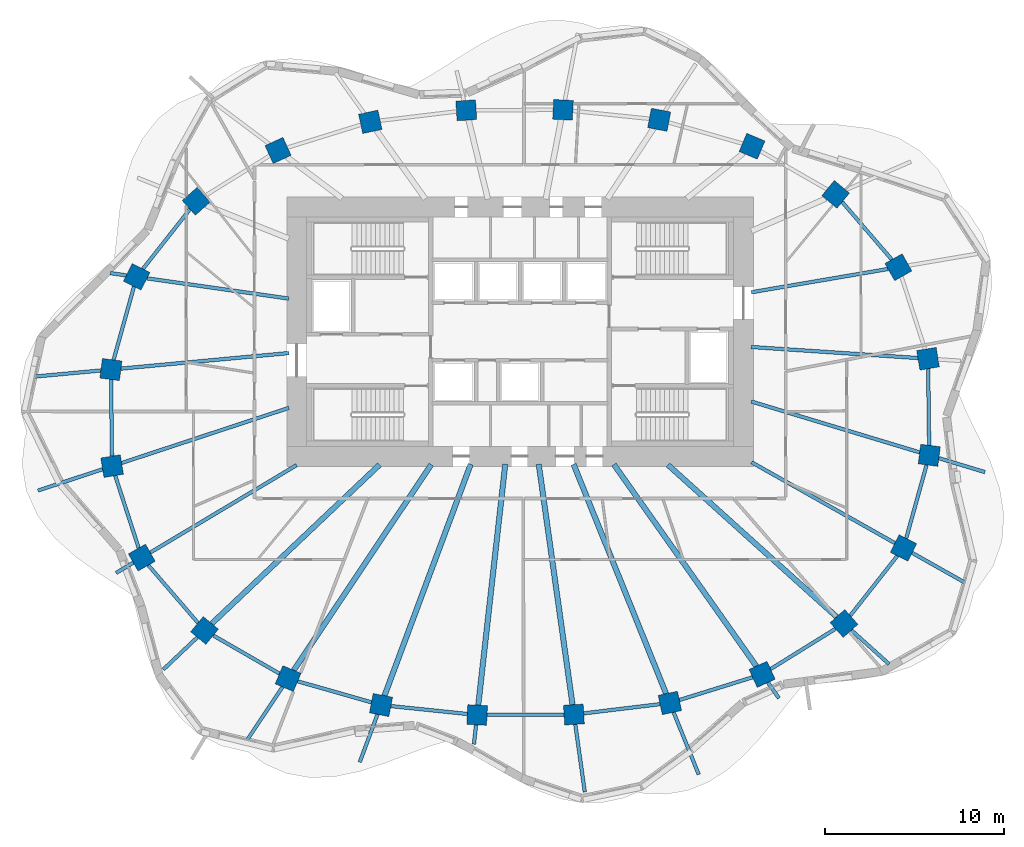
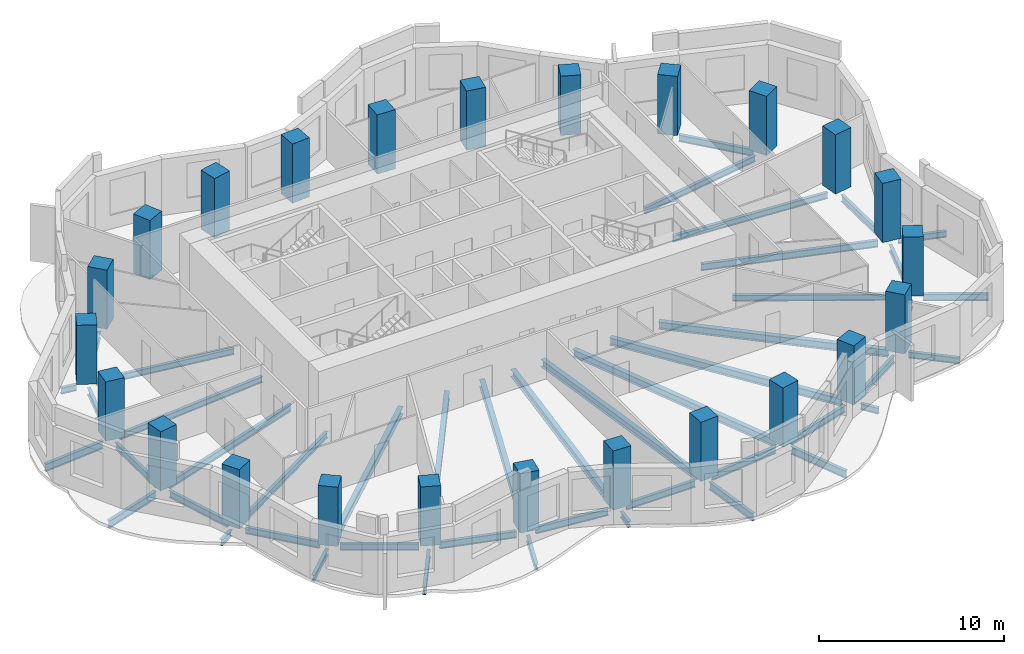
# One storey, part 1 of 10: 46 beams, 24 columns.
"""IFC4 building model written with IfcOpenShell, lengths in metres."""

from ifc_helpers import new_model, si_unit, direction, frame, origin, origin_2d, place, context, subcontext, project, spatial, rectangle, i_section, extrude, material, material_profile, profile_set, type_object, element, save


model = new_model("IFC4")

# Units and contexts
model_context = context("Model", 3, precision=1e-05, world=origin(), true_north=direction((0.0, 1.0)))
body_context = subcontext(model_context, "Body", "Model", "MODEL_VIEW")
ifc_project = project(units=[si_unit("LENGTHUNIT", "METRE"), si_unit("AREAUNIT", "SQUARE_METRE"), si_unit("VOLUMEUNIT", "CUBIC_METRE"), si_unit("PLANEANGLEUNIT", "RADIAN"), si_unit("MASSUNIT", "GRAM", prefix="KILO")], contexts=[model_context])

# Site, building, storey
site_placement = place(None, origin())
site = spatial("IfcSite", under=ifc_project, at=site_placement, CompositionType="ELEMENT")
building_placement = place(site_placement, origin())
building = spatial("IfcBuilding", under=site, at=building_placement, Name="Rubra Terraces Tower", CompositionType="ELEMENT")
storey_placement = place(building_placement, frame((0.0, 0.0, 153.89990234375)))
storey = spatial("IfcBuildingStorey", under=building, at=storey_placement, Name="L37", CompositionType="ELEMENT", Elevation=153.89990234375)

# Columns
ifc_material_1 = material(Name="Concrete C50", Category="concrete")
ifc_material_profile_1 = material_profile(ifc_material_1, rectangle(XDim=1.10009765625, YDim=1.10009765625, at=origin_2d()), Name="RC 1100x1100")
ifc_profile_set_1 = profile_set([ifc_material_profile_1], Name="Concrete C50")
column_type = type_object("IfcColumnType", Name="RING COLUMN RC 1100x1100 C50", PredefinedType="COLUMN", material=ifc_profile_set_1)
for number, where, z_axis, x_axis, name in (
    (1, (22.73388671875, 2.992919921875, 0.0), (0.0, 0.0, 1.0), (-0.162062155721, 0.986780551938, 0.0), "column-L37-ring-01"),
    (2, (21.0810546875, 8.090087890625, 0.0), (0.0, 0.0, 1.0), (-0.490161823029, 0.8716314515, 0.0), "column-L37-ring-02"),
    (3, (17.583984375, 12.15087890625, 0.0), (0.0, 0.0, 1.0), (-0.770679191336, 0.637223339216, 0.0), "column-L37-ring-03"),
    (4, (12.927001953125, 14.83203125, 0.0), (0.0, 0.0, 1.0), (-0.92110553102, 0.389312985558, 0.0), "column-L37-ring-04"),
    (5, (7.7509765625, 16.306884765625, 0.0), (0.0, 0.0, 1.0), (-0.981936574306, 0.189210369799, 0.0), "column-L37-ring-05"),
    (6, (2.39208984375, 16.862060546875, 0.0), (0.0, 0.0, 1.0), (-0.998791416829, 0.049149828786, 0.0), "column-L37-ring-06"),
    (7, (-2.9990234375, 16.8359375, 0.0), (0.0, 0.0, 1.0), (-0.998059443319, -0.062268351524, 0.0), "column-L37-ring-07"),
    (8, (-8.346923828125, 16.19189453125, 0.0), (0.0, 0.0, 1.0), (-0.977944102772, -0.208866780156, 0.0), "column-L37-ring-08"),
    (9, (-13.487060546875, 14.595947265625, 0.0), (0.0, 0.0, 1.0), (-0.90972649622, -0.415208022652, 0.0), "column-L37-ring-09"),
    (10, (-18.051025390625, 11.762939453125, 0.0), (0.0, 0.0, 1.0), (-0.7456420961, -0.66634665492, 0.0), "column-L37-ring-10"),
    (11, (-21.366943359375, 7.553955078125, 0.0), (0.0, 0.0, 1.0), (-0.452078869866, -0.891977968013, 0.0), "column-L37-ring-11"),
    (12, (-22.802001953125, 2.388916015625, 0.0), (0.0, 0.0, 1.0), (-0.128535191473, -0.991704948336, 0.0), "column-L37-ring-12"),
    (13, (-22.73388671875, -2.992919921875, 0.0), (0.0, 0.0, 1.0), (0.162062155721, -0.986780551938, 0.0), "column-L37-ring-13"),
    (14, (-21.0810546875, -8.090087890625, 0.0), (0.0, 0.0, 1.0), (0.490161823029, -0.8716314515, 0.0), "column-L37-ring-14"),
    (15, (-17.583984375, -12.15087890625, 0.0), (0.0, 0.0, 1.0), (0.770679191336, -0.637223339216, 0.0), "column-L37-ring-15"),
    (16, (-12.927001953125, -14.83203125, 0.0), (0.0, 0.0, 1.0), (0.92110553102, -0.389312985558, 0.0), "column-L37-ring-16"),
    (17, (-7.7509765625, -16.306884765625, 0.0), (0.0, 0.0, 1.0), (0.981936574306, -0.189210369799, 0.0), "column-L37-ring-17"),
    (18, (-2.39208984375, -16.862060546875, 0.0), (0.0, 0.0, 1.0), (0.998791416829, -0.049149828786, 0.0), "column-L37-ring-18"),
    (19, (2.9990234375, -16.8359375, 0.0), (0.0, 0.0, 1.0), (0.998059443319, 0.062268351524, 0.0), "column-L37-ring-19"),
    (20, (8.346923828125, -16.19189453125, 0.0), (0.0, 0.0, 1.0), (0.977944102772, 0.208866780156, 0.0), "column-L37-ring-20"),
    (21, (13.487060546875, -14.595947265625, 0.0), (0.0, 0.0, 1.0), (0.90972649622, 0.415208022652, 0.0), "column-L37-ring-21"),
    (22, (18.051025390625, -11.762939453125, 0.0), (0.0, 0.0, 1.0), (0.7456420961, 0.66634665492, 0.0), "column-L37-ring-22"),
    (23, (21.366943359375, -7.553955078125, 0.0), (0.0, 0.0, 1.0), (0.452078869866, 0.891977968013, 0.0), "column-L37-ring-23"),
    (24, (22.802001953125, -2.388916015625, 0.0), (0.0, 0.0, 1.0), (0.128535191473, 0.991704948336, 0.0), "column-L37-ring-24"),
):
    element("IfcColumn", number, at=place(storey_placement, frame(where, z_axis=z_axis, x_axis=x_axis)), inside=storey, type_object=column_type, Name=name, PredefinedType="COLUMN", context=body_context, shape_type="SweptSolid", body=[
        extrude(rectangle(XDim=1.10009765625, YDim=1.10009765625, at=origin_2d()), origin(), (0.0, 0.0, 1.0), 3.900146484375),
    ])

# Beams
ifc_material_2 = material(Name="Steel Q355B", Category="steel")
ifc_material_profile_2 = material_profile(ifc_material_2, i_section(OverallWidth=0.199951171875, OverallDepth=0.39990234375, WebThickness=0.008056640625, FlangeThickness=0.012939453125, at=origin_2d()), Name="HN 400x200x8x13")
ifc_profile_set_2 = profile_set([ifc_material_profile_2], Name="Steel Q355B")
beam_type_1 = type_object("IfcBeamType", Name="CANTILEVER BEAM HN 400x200x8x13", PredefinedType="BEAM", material=ifc_profile_set_2)
beam_1_placement = place(storey_placement, frame((-17.986083984375, -12.531982421875, -0.39990234375), z_axis=(-0.726102150889, -0.68758684286, 0.0), x_axis=(0.68758684286, -0.726102150889, 0.0)))
element("IfcBeam", 25, at=beam_1_placement, inside=storey, type_object=beam_type_1, Name="beam-L37-cant-15", PredefinedType="BEAM", context=body_context, shape_type="SweptSolid", body=[
    extrude(i_section(OverallWidth=0.199951171875, OverallDepth=0.39990234375, WebThickness=0.008056640625, FlangeThickness=0.012939453125, at=origin_2d()), origin(), (0.0, 0.0, 1.0), 2.617919921875),
])
beam_2_placement = place(storey_placement, frame((-7.946044921875, -16.830078125, -0.39990234375), z_axis=(-0.349114946886, -0.937079907938, 0.0), x_axis=(0.937079907938, -0.349114946886, 0.0)))
element("IfcBeam", 26, at=beam_2_placement, inside=storey, type_object=beam_type_1, Name="beam-L37-cant-17", PredefinedType="BEAM", context=body_context, shape_type="SweptSolid", body=[
    extrude(i_section(OverallWidth=0.199951171875, OverallDepth=0.39990234375, WebThickness=0.008056640625, FlangeThickness=0.012939453125, at=origin_2d()), origin(), (0.0, 0.0, 1.0), 2.838623046875),
])
beam_3_placement = place(storey_placement, frame((18.4619140625, -12.133056640625, -0.39990234375), z_axis=(0.742863981183, -0.669442383974, 0.0), x_axis=(0.669442383974, 0.742863981183, 0.0)))
element("IfcBeam", 27, at=beam_3_placement, inside=storey, type_object=beam_type_1, Name="beam-L37-cant-22", PredefinedType="BEAM", context=body_context, shape_type="SweptSolid", body=[
    extrude(i_section(OverallWidth=0.199951171875, OverallDepth=0.39990234375, WebThickness=0.008056640625, FlangeThickness=0.012939453125, at=origin_2d()), origin(), (0.0, 0.0, 1.0), 2.822998046875),
])
beam_4_placement = place(storey_placement, frame((23.3359375, -2.550048828125, -0.39990234375), z_axis=(0.957237259316, -0.289304043141, 0.0), x_axis=(0.289304043141, 0.957237259316, 0.0)))
element("IfcBeam", 28, at=beam_4_placement, inside=storey, type_object=beam_type_1, Name="beam-L37-cant-24", PredefinedType="BEAM", context=body_context, shape_type="SweptSolid", body=[
    extrude(i_section(OverallWidth=0.199951171875, OverallDepth=0.39990234375, WebThickness=0.008056640625, FlangeThickness=0.012939453125, at=origin_2d()), origin(), (0.0, 0.0, 1.0), 2.678466796875),
])
ifc_material_profile_3 = material_profile(ifc_material_2, i_section(OverallWidth=0.198974609375, OverallDepth=0.446044921875, WebThickness=0.008056640625, FlangeThickness=0.011962890625, at=origin_2d()), Name="HN 446x199x8x12")
ifc_profile_set_3 = profile_set([ifc_material_profile_3], Name="Steel Q355B")
beam_type_2 = type_object("IfcBeamType", Name="CANTILEVER BEAM HN 446x199x8x12", PredefinedType="BEAM", material=ifc_profile_set_3)
beam_5_placement = place(storey_placement, frame((21.846923828125, -7.824951171875, -0.4228515625), z_axis=(0.870998946477, -0.491284881953, 0.0), x_axis=(0.491284881953, 0.870998946477, 0.0)))
element("IfcBeam", 29, at=beam_5_placement, inside=storey, type_object=beam_type_2, Name="beam-L37-cant-23", PredefinedType="BEAM", context=body_context, shape_type="SweptSolid", body=[
    extrude(i_section(OverallWidth=0.198974609375, OverallDepth=0.446044921875, WebThickness=0.008056640625, FlangeThickness=0.011962890625, at=origin_2d()), origin(), (0.0, 0.0, 1.0), 3.53173828125),
])
ifc_material_profile_4 = material_profile(ifc_material_2, i_section(OverallWidth=0.198974609375, OverallDepth=0.49609375, WebThickness=0.009033203125, FlangeThickness=0.013916015625, at=origin_2d()), Name="HN 496x199x9x14")
ifc_profile_set_4 = profile_set([ifc_material_profile_4], Name="Steel Q355B")
beam_type_3 = type_object("IfcBeamType", Name="CANTILEVER BEAM HN 496x199x9x14", PredefinedType="BEAM", material=ifc_profile_set_4)
beam_6_placement = place(storey_placement, frame((-23.363037109375, 2.3369140625, -0.447998046875), z_axis=(-0.995741870342, -0.092185289763, 0.0), x_axis=(0.092185289763, -0.995741870342, 0.0)))
element("IfcBeam", 30, at=beam_6_placement, inside=storey, type_object=beam_type_3, Name="beam-L37-cant-12", PredefinedType="BEAM", context=body_context, shape_type="SweptSolid", body=[
    extrude(i_section(OverallWidth=0.198974609375, OverallDepth=0.49609375, WebThickness=0.009033203125, FlangeThickness=0.013916015625, at=origin_2d()), origin(), (0.0, 0.0, 1.0), 3.81640625),
])
beam_7_placement = place(storey_placement, frame((-23.262939453125, -3.1669921875, -0.447998046875), z_axis=(-0.9497331334, -0.313060657575, 0.0), x_axis=(0.313060657575, -0.9497331334, 0.0)))
element("IfcBeam", 31, at=beam_7_placement, inside=storey, type_object=beam_type_3, Name="beam-L37-cant-13", PredefinedType="BEAM", context=body_context, shape_type="SweptSolid", body=[
    extrude(i_section(OverallWidth=0.198974609375, OverallDepth=0.49609375, WebThickness=0.009033203125, FlangeThickness=0.013916015625, at=origin_2d()), origin(), (0.0, 0.0, 1.0), 3.794677734375),
])
beam_8_placement = place(storey_placement, frame((-13.238037109375, -15.298095703125, -0.447998046875), z_axis=(-0.555843573912, -0.831286906754, 0.0), x_axis=(0.831286906754, -0.555843573912, 0.0)))
element("IfcBeam", 32, at=beam_8_placement, inside=storey, type_object=beam_type_3, Name="beam-L37-cant-16", PredefinedType="BEAM", context=body_context, shape_type="SweptSolid", body=[
    extrude(i_section(OverallWidth=0.198974609375, OverallDepth=0.49609375, WebThickness=0.009033203125, FlangeThickness=0.013916015625, at=origin_2d()), origin(), (0.0, 0.0, 1.0), 3.644775390625),
])
beam_9_placement = place(storey_placement, frame((3.075927734375, -17.382080078125, -0.447998046875), z_axis=(0.139115411885, -0.990276174699, 0.0), x_axis=(0.990276174699, 0.139115411885, 0.0)))
element("IfcBeam", 33, at=beam_9_placement, inside=storey, type_object=beam_type_3, Name="beam-L37-cant-19", PredefinedType="BEAM", context=body_context, shape_type="SweptSolid", body=[
    extrude(i_section(OverallWidth=0.198974609375, OverallDepth=0.49609375, WebThickness=0.009033203125, FlangeThickness=0.013916015625, at=origin_2d()), origin(), (0.0, 0.0, 1.0), 3.81005859375),
])
beam_10_placement = place(storey_placement, frame((8.555908203125, -16.7099609375, -0.447998046875), z_axis=(0.374103362082, -0.927387014401, 0.0), x_axis=(0.927387014401, 0.374103362082, 0.0)))
element("IfcBeam", 34, at=beam_10_placement, inside=storey, type_object=beam_type_3, Name="beam-L37-cant-20", PredefinedType="BEAM", context=body_context, shape_type="SweptSolid", body=[
    extrude(i_section(OverallWidth=0.198974609375, OverallDepth=0.49609375, WebThickness=0.009033203125, FlangeThickness=0.013916015625, at=origin_2d()), origin(), (0.0, 0.0, 1.0), 3.737548828125),
])
ifc_material_profile_5 = material_profile(ifc_material_2, i_section(OverallWidth=0.199951171875, OverallDepth=0.39990234375, WebThickness=0.008056640625, FlangeThickness=0.012939453125, at=origin_2d()), Name="HN 400x200x8x13")
ifc_profile_set_5 = profile_set([ifc_material_profile_5], Name="Steel Q355B")
beam_type_4 = type_object("IfcBeamType", Name="CANTILEVER STUB HN 400x200x8x13", PredefinedType="BEAM", material=ifc_profile_set_5)
beam_11_placement = place(storey_placement, frame((-21.94189453125, 7.635986328125, -0.39990234375), z_axis=(-0.989916778715, 0.141650171968, 0.0), x_axis=(-0.141650171968, -0.989916778715, 0.0)))
element("IfcBeam", 35, at=beam_11_placement, inside=storey, type_object=beam_type_4, Name="beam-L37-cant-11", PredefinedType="BEAM", context=body_context, shape_type="SweptSolid", body=[
    extrude(i_section(OverallWidth=0.199951171875, OverallDepth=0.39990234375, WebThickness=0.008056640625, FlangeThickness=0.012939453125, at=origin_2d()), origin(), (0.0, 0.0, 1.0), 0.896240234375),
])
beam_12_placement = place(storey_placement, frame((-21.552978515625, -8.3720703125, -0.39990234375), z_axis=(-0.858666080656, -0.51253542505, 0.0), x_axis=(0.51253542505, -0.858666080656, 0.0)))
element("IfcBeam", 36, at=beam_12_placement, inside=storey, type_object=beam_type_4, Name="beam-L37-cant-14", PredefinedType="BEAM", context=body_context, shape_type="SweptSolid", body=[
    extrude(i_section(OverallWidth=0.199951171875, OverallDepth=0.39990234375, WebThickness=0.008056640625, FlangeThickness=0.012939453125, at=origin_2d()), origin(), (0.0, 0.0, 1.0), 1.117919921875),
])
beam_13_placement = place(storey_placement, frame((-2.452880859375, -17.409912109375, -0.39990234375), z_axis=(-0.111318262137, -0.993784807951, 0.0), x_axis=(0.993784807951, -0.111318262137, 0.0)))
element("IfcBeam", 37, at=beam_13_placement, inside=storey, type_object=beam_type_4, Name="beam-L37-cant-18", PredefinedType="BEAM", context=body_context, shape_type="SweptSolid", body=[
    extrude(i_section(OverallWidth=0.199951171875, OverallDepth=0.39990234375, WebThickness=0.008056640625, FlangeThickness=0.012939453125, at=origin_2d()), origin(), (0.0, 0.0, 1.0), 1.087890625),
])
beam_14_placement = place(storey_placement, frame((13.81005859375, -15.052978515625, -0.39990234375), z_axis=(0.576566183684, -0.817050448768, 0.0), x_axis=(0.817050448768, 0.576566183684, 0.0)))
element("IfcBeam", 38, at=beam_14_placement, inside=storey, type_object=beam_type_4, Name="beam-L37-cant-21", PredefinedType="BEAM", context=body_context, shape_type="SweptSolid", body=[
    extrude(i_section(OverallWidth=0.199951171875, OverallDepth=0.39990234375, WebThickness=0.008056640625, FlangeThickness=0.012939453125, at=origin_2d()), origin(), (0.0, 0.0, 1.0), 1.06494140625),
])
ifc_material_profile_6 = material_profile(ifc_material_2, i_section(OverallWidth=0.300048828125, OverallDepth=0.48193359375, WebThickness=0.010986328125, FlangeThickness=0.014892578125, at=origin_2d()), Name="HM 482x300x11x15")
ifc_profile_set_6 = profile_set([ifc_material_profile_6], Name="Steel Q355B")
beam_type_5 = type_object("IfcBeamType", Name="FLOOR BEAM HM 482x300x11x15", PredefinedType="BEAM", material=ifc_profile_set_6)
beam_15_placement = place(storey_placement, frame((-17.181884765625, -11.77001953125, -0.44091796875), z_axis=(0.726100153208, 0.687588952436, 0.0), x_axis=(-0.687588952436, 0.726100153208, 0.0)))
element("IfcBeam", 39, at=beam_15_placement, inside=storey, type_object=beam_type_5, Name="beam-L37-floor-15", PredefinedType="BEAM", context=body_context, shape_type="SweptSolid", body=[
    extrude(i_section(OverallWidth=0.300048828125, OverallDepth=0.48193359375, WebThickness=0.010986328125, FlangeThickness=0.014892578125, at=origin_2d()), origin(), (0.0, 0.0, 1.0), 12.87548828125),
])
beam_16_placement = place(storey_placement, frame((-12.615966796875, -14.365966796875, -0.44091796875), z_axis=(0.555900449773, 0.831248873649, 0.0), x_axis=(-0.831248873649, 0.555900449773, 0.0)))
element("IfcBeam", 40, at=beam_16_placement, inside=storey, type_object=beam_type_5, Name="beam-L37-floor-16", PredefinedType="BEAM", context=body_context, shape_type="SweptSolid", body=[
    extrude(i_section(OverallWidth=0.300048828125, OverallDepth=0.48193359375, WebThickness=0.010986328125, FlangeThickness=0.014892578125, at=origin_2d()), origin(), (0.0, 0.0, 1.0), 13.793701171875),
])
beam_17_placement = place(storey_placement, frame((-7.555908203125, -15.783935546875, -0.44091796875), z_axis=(0.349081226263, 0.937092470075, 0.0), x_axis=(-0.937092470075, 0.349081226263, 0.0)))
element("IfcBeam", 41, at=beam_17_placement, inside=storey, type_object=beam_type_5, Name="beam-L37-floor-17", PredefinedType="BEAM", context=body_context, shape_type="SweptSolid", body=[
    extrude(i_section(OverallWidth=0.300048828125, OverallDepth=0.48193359375, WebThickness=0.010986328125, FlangeThickness=0.014892578125, at=origin_2d()), origin(), (0.0, 0.0, 1.0), 13.76171875),
])
beam_18_placement = place(storey_placement, frame((-2.3310546875, -16.31396484375, -0.44091796875), z_axis=(0.111351311584, 0.993781105379, 0.0), x_axis=(-0.993781105379, 0.111351311584, 0.0)))
element("IfcBeam", 42, at=beam_18_placement, inside=storey, type_object=beam_type_5, Name="beam-L37-floor-18", PredefinedType="BEAM", context=body_context, shape_type="SweptSolid", body=[
    extrude(i_section(OverallWidth=0.300048828125, OverallDepth=0.48193359375, WebThickness=0.010986328125, FlangeThickness=0.014892578125, at=origin_2d()), origin(), (0.0, 0.0, 1.0), 13.516845703125),
])
beam_19_placement = place(storey_placement, frame((2.922119140625, -16.2900390625, -0.44091796875), z_axis=(-0.139139078011, 0.990272849759, 0.0), x_axis=(-0.990272849759, -0.139139078011, 0.0)))
element("IfcBeam", 43, at=beam_19_placement, inside=storey, type_object=beam_type_5, Name="beam-L37-floor-19", PredefinedType="BEAM", context=body_context, shape_type="SweptSolid", body=[
    extrude(i_section(OverallWidth=0.300048828125, OverallDepth=0.48193359375, WebThickness=0.010986328125, FlangeThickness=0.014892578125, at=origin_2d()), origin(), (0.0, 0.0, 1.0), 13.54052734375),
])
beam_20_placement = place(storey_placement, frame((8.137939453125, -15.674072265625, -0.44091796875), z_axis=(-0.374072995757, 0.927399263449, 0.0), x_axis=(-0.927399263449, -0.374072995757, 0.0)))
element("IfcBeam", 44, at=beam_20_placement, inside=storey, type_object=beam_type_5, Name="beam-L37-floor-20", PredefinedType="BEAM", context=body_context, shape_type="SweptSolid", body=[
    extrude(i_section(OverallWidth=0.300048828125, OverallDepth=0.48193359375, WebThickness=0.010986328125, FlangeThickness=0.014892578125, at=origin_2d()), origin(), (0.0, 0.0, 1.0), 13.7861328125),
])
beam_21_placement = place(storey_placement, frame((13.1640625, -14.138916015625, -0.44091796875), z_axis=(-0.576885242087, 0.816825206187, 0.0), x_axis=(-0.816825206187, -0.576885242087, 0.0)))
element("IfcBeam", 45, at=beam_21_placement, inside=storey, type_object=beam_type_5, Name="beam-L37-floor-21", PredefinedType="BEAM", context=body_context, shape_type="SweptSolid", body=[
    extrude(i_section(OverallWidth=0.300048828125, OverallDepth=0.48193359375, WebThickness=0.010986328125, FlangeThickness=0.014892578125, at=origin_2d()), origin(), (0.0, 0.0, 1.0), 13.756591796875),
])
beam_22_placement = place(storey_placement, frame((17.639892578125, -11.39306640625, -0.44091796875), z_axis=(-0.742946892742, 0.669350367569, 0.0), x_axis=(-0.669350367569, -0.742946892742, 0.0)))
element("IfcBeam", 46, at=beam_22_placement, inside=storey, type_object=beam_type_5, Name="beam-L37-floor-22", PredefinedType="BEAM", context=body_context, shape_type="SweptSolid", body=[
    extrude(i_section(OverallWidth=0.300048828125, OverallDepth=0.48193359375, WebThickness=0.010986328125, FlangeThickness=0.014892578125, at=origin_2d()), origin(), (0.0, 0.0, 1.0), 12.65869140625),
])
ifc_material_profile_7 = material_profile(ifc_material_2, i_section(OverallWidth=0.199951171875, OverallDepth=0.39990234375, WebThickness=0.008056640625, FlangeThickness=0.012939453125, at=origin_2d()), Name="HN 400x200x8x13")
ifc_profile_set_7 = profile_set([ifc_material_profile_7], Name="Steel Q355B")
beam_type_6 = type_object("IfcBeamType", Name="FLOOR BEAM HN 400x200x8x13", PredefinedType="BEAM", material=ifc_profile_set_7)
beam_23_placement = place(storey_placement, frame((22.169921875, 3.030029296875, -0.39990234375), z_axis=(-0.997809110543, 0.0661587403, 0.0), x_axis=(-0.0661587403, -0.997809110543, 0.0)))
element("IfcBeam", 47, at=beam_23_placement, inside=storey, type_object=beam_type_6, Name="beam-L37-floor-01", PredefinedType="BEAM", context=body_context, shape_type="SweptSolid", body=[
    extrude(i_section(OverallWidth=0.199951171875, OverallDepth=0.39990234375, WebThickness=0.008056640625, FlangeThickness=0.012939453125, at=origin_2d()), origin(), (0.0, 0.0, 1.0), 9.310546875),
])
beam_24_placement = place(storey_placement, frame((20.5048828125, 7.991943359375, -0.39990234375), z_axis=(-0.985813612303, -0.167843742209, 0.0), x_axis=(0.167843742209, -0.985813612303, 0.0)))
element("IfcBeam", 48, at=beam_24_placement, inside=storey, type_object=beam_type_6, Name="beam-L37-floor-02", PredefinedType="BEAM", context=body_context, shape_type="SweptSolid", body=[
    extrude(i_section(OverallWidth=0.199951171875, OverallDepth=0.39990234375, WebThickness=0.008056640625, FlangeThickness=0.012939453125, at=origin_2d()), origin(), (0.0, 0.0, 1.0), 7.732421875),
])
beam_25_placement = place(storey_placement, frame((-20.7919921875, 7.471923828125, -0.39990234375), z_axis=(0.989936658262, -0.141511174924, 0.0), x_axis=(0.141511174924, 0.989936658262, 0.0)))
element("IfcBeam", 49, at=beam_25_placement, inside=storey, type_object=beam_type_6, Name="beam-L37-floor-11", PredefinedType="BEAM", context=body_context, shape_type="SweptSolid", body=[
    extrude(i_section(OverallWidth=0.199951171875, OverallDepth=0.39990234375, WebThickness=0.008056640625, FlangeThickness=0.012939453125, at=origin_2d()), origin(), (0.0, 0.0, 1.0), 7.9912109375),
])
beam_26_placement = place(storey_placement, frame((-22.240966796875, 2.44091796875, -0.39990234375), z_axis=(0.995735462061, 0.092254482791, 0.0), x_axis=(-0.092254482791, 0.995735462061, 0.0)))
element("IfcBeam", 50, at=beam_26_placement, inside=storey, type_object=beam_type_6, Name="beam-L37-floor-12", PredefinedType="BEAM", context=body_context, shape_type="SweptSolid", body=[
    extrude(i_section(OverallWidth=0.199951171875, OverallDepth=0.39990234375, WebThickness=0.008056640625, FlangeThickness=0.012939453125, at=origin_2d()), origin(), (0.0, 0.0, 1.0), 9.39990234375),
])
beam_27_placement = place(storey_placement, frame((-20.60888671875, -7.80810546875, -0.39990234375), z_axis=(0.858520950698, 0.51277848747, 0.0), x_axis=(-0.51277848747, 0.858520950698, 0.0)))
element("IfcBeam", 51, at=beam_27_placement, inside=storey, type_object=beam_type_6, Name="beam-L37-floor-14", PredefinedType="BEAM", context=body_context, shape_type="SweptSolid", body=[
    extrude(i_section(OverallWidth=0.199951171875, OverallDepth=0.39990234375, WebThickness=0.008056640625, FlangeThickness=0.012939453125, at=origin_2d()), origin(), (0.0, 0.0, 1.0), 9.49755859375),
])
beam_28_placement = place(storey_placement, frame((20.886962890625, -7.282958984375, -0.39990234375), z_axis=(-0.870988685804, 0.491303072656, 0.0), x_axis=(-0.491303072656, -0.870988685804, 0.0)))
element("IfcBeam", 52, at=beam_28_placement, inside=storey, type_object=beam_type_6, Name="beam-L37-floor-23", PredefinedType="BEAM", context=body_context, shape_type="SweptSolid", body=[
    extrude(i_section(OverallWidth=0.199951171875, OverallDepth=0.39990234375, WebThickness=0.008056640625, FlangeThickness=0.012939453125, at=origin_2d()), origin(), (0.0, 0.0, 1.0), 9.17578125),
])
ifc_material_profile_8 = material_profile(ifc_material_2, i_section(OverallWidth=0.198974609375, OverallDepth=0.446044921875, WebThickness=0.008056640625, FlangeThickness=0.011962890625, at=origin_2d()), Name="HN 446x199x8x12")
ifc_profile_set_8 = profile_set([ifc_material_profile_8], Name="Steel Q355B")
beam_type_7 = type_object("IfcBeamType", Name="FLOOR BEAM HN 446x199x8x12", PredefinedType="BEAM", material=ifc_profile_set_8)
beam_29_placement = place(storey_placement, frame((-22.205078125, -2.819091796875, -0.4228515625), z_axis=(0.949728041792, 0.313076103583, 0.0), x_axis=(-0.313076103583, 0.949728041792, 0.0)))
element("IfcBeam", 53, at=beam_29_placement, inside=storey, type_object=beam_type_7, Name="beam-L37-floor-13", PredefinedType="BEAM", context=body_context, shape_type="SweptSolid", body=[
    extrude(i_section(OverallWidth=0.198974609375, OverallDepth=0.446044921875, WebThickness=0.008056640625, FlangeThickness=0.011962890625, at=origin_2d()), origin(), (0.0, 0.0, 1.0), 9.8125),
])
beam_30_placement = place(storey_placement, frame((22.26806640625, -2.22802734375, -0.4228515625), z_axis=(-0.957261634756, 0.289223378419, 0.0), x_axis=(-0.289223378419, -0.957261634756, 0.0)))
element("IfcBeam", 54, at=beam_30_placement, inside=storey, type_object=beam_type_7, Name="beam-L37-floor-24", PredefinedType="BEAM", context=body_context, shape_type="SweptSolid", body=[
    extrude(i_section(OverallWidth=0.198974609375, OverallDepth=0.446044921875, WebThickness=0.008056640625, FlangeThickness=0.011962890625, at=origin_2d()), origin(), (0.0, 0.0, 1.0), 9.802001953125),
])
ifc_material_profile_9 = material_profile(ifc_material_2, i_section(OverallWidth=0.198974609375, OverallDepth=0.446044921875, WebThickness=0.008056640625, FlangeThickness=0.011962890625, at=origin_2d()), Name="HN 446x199x8x12")
ifc_profile_set_9 = profile_set([ifc_material_profile_9], Name="Steel Q355B")
beam_type_8 = type_object("IfcBeamType", Name="SPANDREL BEAM HN 446x199x8x12", PredefinedType="SPANDREL", material=ifc_profile_set_9)
beam_31_placement = place(storey_placement, frame((20.715087890625, 8.514892578125, -0.4228515625), z_axis=(-0.65255344008, 0.757742705567, 0.0), x_axis=(-0.757742705567, -0.65255344008, 0.0)))
element("IfcBeam", 55, at=beam_31_placement, inside=storey, type_object=beam_type_8, Name="beam-L37-spandrel-02", PredefinedType="SPANDREL", context=body_context, shape_type="SweptSolid", body=[
    extrude(i_section(OverallWidth=0.198974609375, OverallDepth=0.446044921875, WebThickness=0.008056640625, FlangeThickness=0.011962890625, at=origin_2d()), origin(), (0.0, 0.0, 1.0), 4.240478515625),
])
beam_32_placement = place(storey_placement, frame((-18.39697265625, 11.323974609375, -0.4228515625), z_axis=(-0.618917461688, -0.785456030353, 0.0), x_axis=(0.785456030353, -0.618917461688, 0.0)))
element("IfcBeam", 56, at=beam_32_placement, inside=storey, type_object=beam_type_8, Name="beam-L37-spandrel-10", PredefinedType="SPANDREL", context=body_context, shape_type="SweptSolid", body=[
    extrude(i_section(OverallWidth=0.198974609375, OverallDepth=0.446044921875, WebThickness=0.008056640625, FlangeThickness=0.011962890625, at=origin_2d()), origin(), (0.0, 0.0, 1.0), 4.238037109375),
])
beam_33_placement = place(storey_placement, frame((-21.51708984375, 7.013916015625, -0.4228515625), z_axis=(-0.267626064819, -0.96352285361, 0.0), x_axis=(0.96352285361, -0.267626064819, 0.0)))
element("IfcBeam", 57, at=beam_33_placement, inside=storey, type_object=beam_type_8, Name="beam-L37-spandrel-11", PredefinedType="SPANDREL", context=body_context, shape_type="SweptSolid", body=[
    extrude(i_section(OverallWidth=0.198974609375, OverallDepth=0.446044921875, WebThickness=0.008056640625, FlangeThickness=0.011962890625, at=origin_2d()), origin(), (0.0, 0.0, 1.0), 4.24462890625),
])
beam_34_placement = place(storey_placement, frame((-22.794921875, 1.8330078125, -0.4228515625), z_axis=(0.012634783266, -0.99992017794, 0.0), x_axis=(0.99992017794, 0.012634783266, 0.0)))
element("IfcBeam", 58, at=beam_34_placement, inside=storey, type_object=beam_type_8, Name="beam-L37-spandrel-12", PredefinedType="SPANDREL", context=body_context, shape_type="SweptSolid", body=[
    extrude(i_section(OverallWidth=0.198974609375, OverallDepth=0.446044921875, WebThickness=0.008056640625, FlangeThickness=0.011962890625, at=origin_2d()), origin(), (0.0, 0.0, 1.0), 4.270263671875),
])
beam_35_placement = place(storey_placement, frame((-22.56201171875, -3.52197265625, -0.4228515625), z_axis=(0.308462461648, -0.951236516201, 0.0), x_axis=(0.951236516201, 0.308462461648, 0.0)))
element("IfcBeam", 59, at=beam_35_placement, inside=storey, type_object=beam_type_8, Name="beam-L37-spandrel-13", PredefinedType="SPANDREL", context=body_context, shape_type="SweptSolid", body=[
    extrude(i_section(OverallWidth=0.198974609375, OverallDepth=0.446044921875, WebThickness=0.008056640625, FlangeThickness=0.011962890625, at=origin_2d()), origin(), (0.0, 0.0, 1.0), 4.24072265625),
])
beam_36_placement = place(storey_placement, frame((-20.715087890625, -8.514892578125, -0.4228515625), z_axis=(0.65255344008, -0.757742705567, 0.0), x_axis=(0.757742705567, 0.65255344008, 0.0)))
element("IfcBeam", 60, at=beam_36_placement, inside=storey, type_object=beam_type_8, Name="beam-L37-spandrel-14", PredefinedType="SPANDREL", context=body_context, shape_type="SweptSolid", body=[
    extrude(i_section(OverallWidth=0.198974609375, OverallDepth=0.446044921875, WebThickness=0.008056640625, FlangeThickness=0.011962890625, at=origin_2d()), origin(), (0.0, 0.0, 1.0), 4.240478515625),
])
beam_37_placement = place(storey_placement, frame((-17.10009765625, -12.428955078125, -0.4228515625), z_axis=(0.866560147027, -0.49907265161, 0.0), x_axis=(0.49907265161, 0.866560147027, 0.0)))
element("IfcBeam", 61, at=beam_37_placement, inside=storey, type_object=beam_type_8, Name="beam-L37-spandrel-15", PredefinedType="SPANDREL", context=body_context, shape_type="SweptSolid", body=[
    extrude(i_section(OverallWidth=0.198974609375, OverallDepth=0.446044921875, WebThickness=0.008056640625, FlangeThickness=0.011962890625, at=origin_2d()), origin(), (0.0, 0.0, 1.0), 4.26171875),
])
beam_38_placement = place(storey_placement, frame((-12.39404296875, -14.98388671875, -0.4228515625), z_axis=(0.961693978406, -0.274125321518, 0.0), x_axis=(0.274125321518, 0.961693978406, 0.0)))
element("IfcBeam", 62, at=beam_38_placement, inside=storey, type_object=beam_type_8, Name="beam-L37-spandrel-16", PredefinedType="SPANDREL", context=body_context, shape_type="SweptSolid", body=[
    extrude(i_section(OverallWidth=0.198974609375, OverallDepth=0.446044921875, WebThickness=0.008056640625, FlangeThickness=0.011962890625, at=origin_2d()), origin(), (0.0, 0.0, 1.0), 4.27587890625),
])
beam_39_placement = place(storey_placement, frame((-7.201904296875, -16.364013671875, -0.4228515625), z_axis=(0.994691190497, -0.102904983103, 0.0), x_axis=(0.102904983103, 0.994691190497, 0.0)))
element("IfcBeam", 63, at=beam_39_placement, inside=storey, type_object=beam_type_8, Name="beam-L37-spandrel-17", PredefinedType="SPANDREL", context=body_context, shape_type="SweptSolid", body=[
    extrude(i_section(OverallWidth=0.198974609375, OverallDepth=0.446044921875, WebThickness=0.008056640625, FlangeThickness=0.011962890625, at=origin_2d()), origin(), (0.0, 0.0, 1.0), 4.28466796875),
])
beam_40_placement = place(storey_placement, frame((-1.841064453125, -16.85888671875, -0.4228515625), z_axis=(0.999989371096, 0.004610606731, 0.0), x_axis=(-0.004610606731, 0.999989371096, 0.0)))
element("IfcBeam", 64, at=beam_40_placement, inside=storey, type_object=beam_type_8, Name="beam-L37-spandrel-18", PredefinedType="SPANDREL", context=body_context, shape_type="SweptSolid", body=[
    extrude(i_section(OverallWidth=0.198974609375, OverallDepth=0.446044921875, WebThickness=0.008056640625, FlangeThickness=0.011962890625, at=origin_2d()), origin(), (0.0, 0.0, 1.0), 4.2890625),
])
beam_41_placement = place(storey_placement, frame((3.5458984375, -16.77001953125, -0.4228515625), z_axis=(0.992833084949, 0.119509269223, 0.0), x_axis=(-0.119509269223, 0.992833084949, 0.0)))
element("IfcBeam", 65, at=beam_41_placement, inside=storey, type_object=beam_type_8, Name="beam-L37-spandrel-19", PredefinedType="SPANDREL", context=body_context, shape_type="SweptSolid", body=[
    extrude(i_section(OverallWidth=0.198974609375, OverallDepth=0.446044921875, WebThickness=0.008056640625, FlangeThickness=0.011962890625, at=origin_2d()), origin(), (0.0, 0.0, 1.0), 4.283935546875),
])
beam_42_placement = place(storey_placement, frame((8.8740234375, -16.028076171875, -0.4228515625), z_axis=(0.955002801089, 0.296596780008, 0.0), x_axis=(-0.296596780008, 0.955002801089, 0.0)))
element("IfcBeam", 66, at=beam_42_placement, inside=storey, type_object=beam_type_8, Name="beam-L37-spandrel-20", PredefinedType="SPANDREL", context=body_context, shape_type="SweptSolid", body=[
    extrude(i_section(OverallWidth=0.198974609375, OverallDepth=0.446044921875, WebThickness=0.008056640625, FlangeThickness=0.011962890625, at=origin_2d()), origin(), (0.0, 0.0, 1.0), 4.275390625),
])
beam_43_placement = place(storey_placement, frame((13.9580078125, -14.303955078125, -0.4228515625), z_axis=(0.849549830498, 0.527508374816, 0.0), x_axis=(-0.527508374816, 0.849549830498, 0.0)))
element("IfcBeam", 67, at=beam_43_placement, inside=storey, type_object=beam_type_8, Name="beam-L37-spandrel-21", PredefinedType="SPANDREL", context=body_context, shape_type="SweptSolid", body=[
    extrude(i_section(OverallWidth=0.198974609375, OverallDepth=0.446044921875, WebThickness=0.008056640625, FlangeThickness=0.011962890625, at=origin_2d()), origin(), (0.0, 0.0, 1.0), 4.259765625),
])
beam_44_placement = place(storey_placement, frame((18.39697265625, -11.323974609375, -0.4228515625), z_axis=(0.618917461688, 0.785456030353, 0.0), x_axis=(-0.785456030353, 0.618917461688, 0.0)))
element("IfcBeam", 68, at=beam_44_placement, inside=storey, type_object=beam_type_8, Name="beam-L37-spandrel-22", PredefinedType="SPANDREL", context=body_context, shape_type="SweptSolid", body=[
    extrude(i_section(OverallWidth=0.198974609375, OverallDepth=0.446044921875, WebThickness=0.008056640625, FlangeThickness=0.011962890625, at=origin_2d()), origin(), (0.0, 0.0, 1.0), 4.238037109375),
])
beam_45_placement = place(storey_placement, frame((21.51708984375, -7.013916015625, -0.4228515625), z_axis=(0.267626064819, 0.96352285361, 0.0), x_axis=(-0.96352285361, 0.267626064819, 0.0)))
element("IfcBeam", 69, at=beam_45_placement, inside=storey, type_object=beam_type_8, Name="beam-L37-spandrel-23", PredefinedType="SPANDREL", context=body_context, shape_type="SweptSolid", body=[
    extrude(i_section(OverallWidth=0.198974609375, OverallDepth=0.446044921875, WebThickness=0.008056640625, FlangeThickness=0.011962890625, at=origin_2d()), origin(), (0.0, 0.0, 1.0), 4.24462890625),
])
beam_46_placement = place(storey_placement, frame((22.794921875, -1.8330078125, -0.4228515625), z_axis=(-0.012634783266, 0.99992017794, 0.0), x_axis=(-0.99992017794, -0.012634783266, 0.0)))
element("IfcBeam", 70, at=beam_46_placement, inside=storey, type_object=beam_type_8, Name="beam-L37-spandrel-24", PredefinedType="SPANDREL", context=body_context, shape_type="SweptSolid", body=[
    extrude(i_section(OverallWidth=0.198974609375, OverallDepth=0.446044921875, WebThickness=0.008056640625, FlangeThickness=0.011962890625, at=origin_2d()), origin(), (0.0, 0.0, 1.0), 4.270263671875),
])

save(model, "model.ifc")
